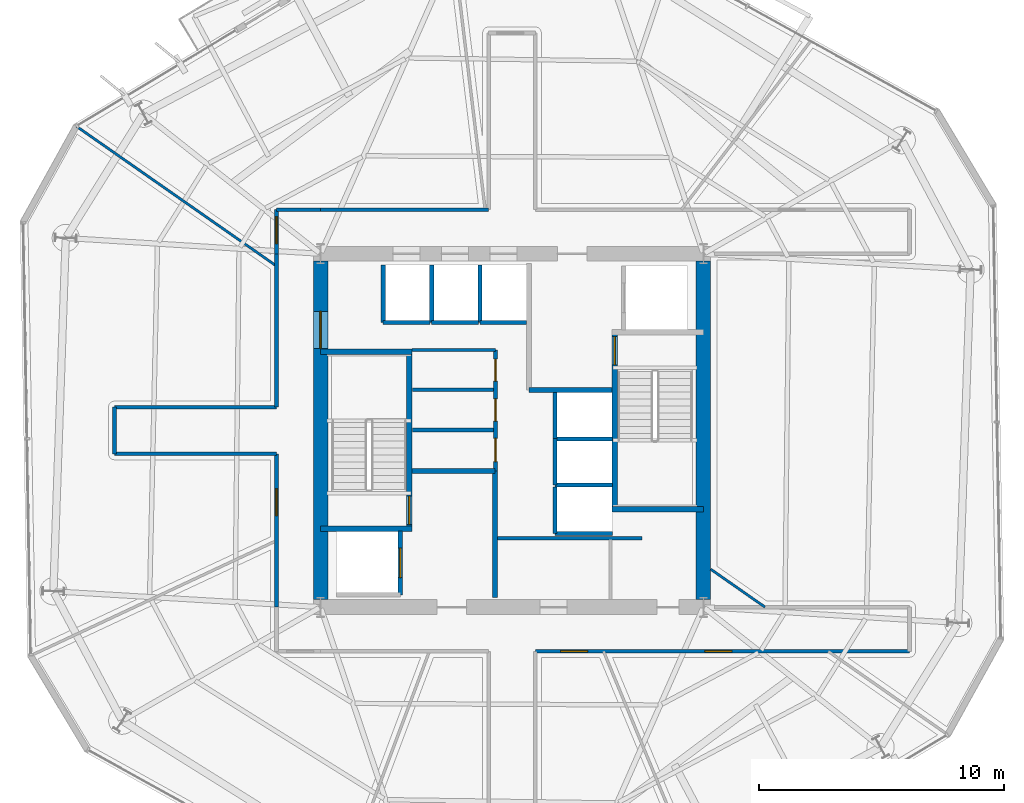
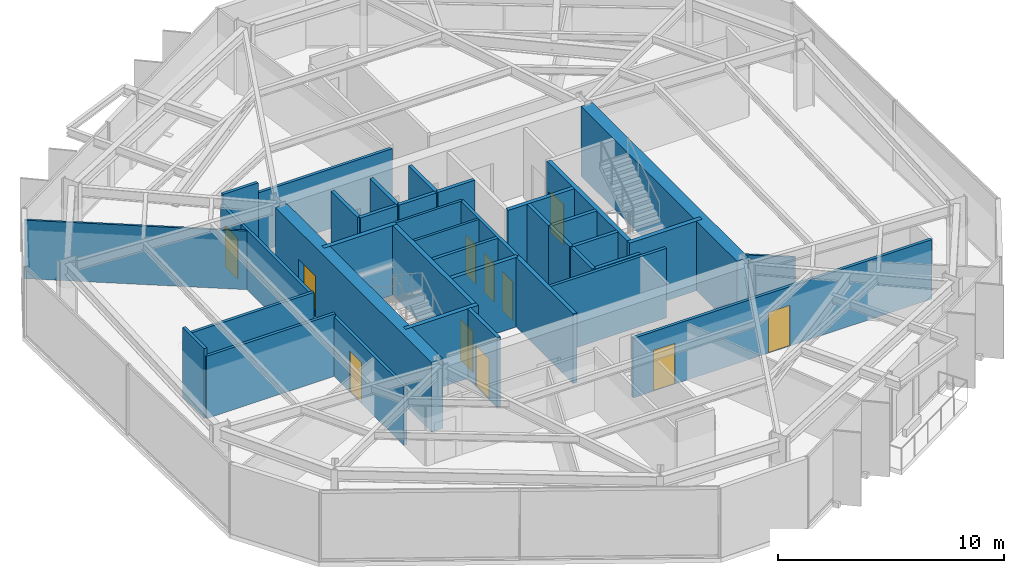
# One storey, part 7 of 11: 39 walls, 11 doors, 11 openings.
"""IFC4 building model written with IfcOpenShell, lengths in metres."""

from ifc_helpers import new_model, si_unit, direction, frame, frame_2d, origin, place, context, subcontext, project, spatial, rectangle, extrude, material, layer, layer_set, type_object, element, fill, save


model = new_model("IFC4")

# Units and contexts
model_context = context("Model", 3, precision=1e-05, world=origin(), true_north=direction((0.0, 1.0)))
body_context = subcontext(model_context, "Body", "Model", "MODEL_VIEW")
ifc_project = project(units=[si_unit("LENGTHUNIT", "METRE"), si_unit("AREAUNIT", "SQUARE_METRE"), si_unit("VOLUMEUNIT", "CUBIC_METRE"), si_unit("PLANEANGLEUNIT", "RADIAN"), si_unit("MASSUNIT", "GRAM", prefix="KILO")], contexts=[model_context])

# Site, building, storey
site_placement = place(None, origin())
site = spatial("IfcSite", under=ifc_project, at=site_placement, CompositionType="ELEMENT")
building_placement = place(site_placement, origin())
building = spatial("IfcBuilding", under=site, at=building_placement, Name="Kranzbogen Civic Tower", CompositionType="ELEMENT")
storey_placement = place(building_placement, frame((0.0, 0.0, 146.39990234375)))
storey = spatial("IfcBuildingStorey", under=building, at=storey_placement, Name="L35", CompositionType="ELEMENT", Elevation=146.39990234375)

# Wall
ifc_material_1 = material(Name="Double-Stud Acoustic Gypsum Partition")
ifc_layer_1 = layer(ifc_material_1, 0.14990234375, Name="Double-Stud Acoustic Gypsum Partition")
ifc_layer_set_1 = layer_set([ifc_layer_1], Name="Double-Stud Acoustic Gypsum Partition")
wall_type_1 = type_object("IfcWallType", Name="Acoustic Corridor and Clinical Partition 150 mm", PredefinedType="PARTITIONING", material=ifc_layer_set_1)
wall_1_placement = place(storey_placement, frame((24.39990234375, 20.610107421875, 0.0), z_axis=(0.0, 0.0, 1.0), x_axis=(1.0, 0.0, 0.0)))
element("IfcWall", 1, at=wall_1_placement, inside=storey, type_object=wall_type_1, Name="L35 records zone North wall", PredefinedType="PARTITIONING", context=body_context, shape_type="SweptSolid", body=[
    extrude(rectangle(XDim=5.900146484375, YDim=0.14990234375, at=frame_2d((2.9501953125, 0.0))), origin(), (0.0, 0.0, 1.0), 3.760009765625),
])

# Wall, opening, door
wall_2_placement = place(storey_placement, frame((15.39990234375, 17.800048828125, 0.0), z_axis=(0.0, 0.0, 1.0), x_axis=(0.0, 1.0, 0.0)))
wall_2 = element("IfcWall", 2, at=wall_2_placement, inside=storey, type_object=wall_type_1, Name="L35 corridor partition 03", PredefinedType="PARTITIONING", context=body_context, shape_type="SweptSolid", body=[
    extrude(rectangle(XDim=6.25, YDim=0.14990234375, at=frame_2d((3.125, 0.0))), origin(), (0.0, 0.0, 1.0), 3.210205078125),
])
opening_1_placement = place(wall_2_placement, frame((3.72998046875, 0.0, 0.0)))
opening_1 = element("IfcOpeningElement", 3, at=opening_1_placement, cuts=wall_2, Name="Opening D-COR60", PredefinedType="OPENING", context=body_context, shape_type="SweptSolid", body=[
    extrude(rectangle(XDim=1.10009765625, YDim=2.199951171875, at=frame_2d((0.550048828125, 1.10009765625))), frame((0.0, 0.0849609375, 0.0), z_axis=(0.0, -1.0, 0.0), x_axis=(1.0, 0.0, 0.0)), (0.0, 0.0, 1.0), 0.169921875),
])
ifc_material_2 = material(Name="Oak Timber and Fire Core", Category="wood")
door_type_1 = type_object("IfcDoorType", Name="Corridor Acoustic Fire Door 1100x2200", OperationType="NOTDEFINED", PredefinedType="DOOR", material=ifc_material_2)
door_1_placement = place(opening_1_placement, origin())
door_1 = element("IfcDoor", 4, at=door_1_placement, inside=storey, type_object=door_type_1, Name="L35 Ministerial Policy Office door", OperationType="SINGLE_SWING_RIGHT", OverallHeight=2.199951171875, OverallWidth=1.10009765625, PredefinedType="DOOR", context=body_context, shape_type="SweptSolid", body=[
    extrude(rectangle(XDim=1.10009765625, YDim=2.199951171875, at=frame_2d((0.550048828125, 1.10009765625))), frame((0.0, 0.02490234375, 0.0), z_axis=(0.0, -1.0, 0.0), x_axis=(1.0, 0.0, 0.0)), (0.0, 0.0, 1.0), 0.050048828125),
])
fill(opening_1, door_1)

# Walls
wall_3_placement = place(storey_placement, frame((15.39990234375, 24.050048828125, 0.0), z_axis=(0.0, 0.0, 1.0), x_axis=(-1.0, 0.0, 0.0)))
element("IfcWall", 5, at=wall_3_placement, inside=storey, type_object=wall_type_1, Name="L35 corridor partition 04", PredefinedType="PARTITIONING", context=body_context, shape_type="SweptSolid", body=[
    extrude(rectangle(XDim=6.599853515625, YDim=0.14990234375, at=frame_2d((3.2998046875, 0.0))), origin(), (0.0, 0.0, 1.0), 3.360107421875),
])
wall_4_placement = place(storey_placement, frame((8.800048828125, 24.050048828125, 0.0), z_axis=(0.0, 0.0, 1.0), x_axis=(0.0, 1.0, 0.0)))
element("IfcWall", 6, at=wall_4_placement, inside=storey, type_object=wall_type_1, Name="L35 corridor partition 05", PredefinedType="PARTITIONING", context=body_context, shape_type="SweptSolid", body=[
    extrude(rectangle(XDim=1.89990234375, YDim=0.14990234375, at=frame_2d((0.949951171875, 0.0))), origin(), (0.0, 0.0, 1.0), 3.760009765625),
])
wall_5_placement = place(storey_placement, frame((8.800048828125, 25.949951171875, 0.0), z_axis=(0.0, 0.0, 1.0), x_axis=(1.0, 0.0, 0.0)))
element("IfcWall", 7, at=wall_5_placement, inside=storey, type_object=wall_type_1, Name="L35 corridor partition 06", PredefinedType="PARTITIONING", context=body_context, shape_type="SweptSolid", body=[
    extrude(rectangle(XDim=6.599853515625, YDim=0.14990234375, at=frame_2d((3.2998046875, 0.0))), origin(), (0.0, 0.0, 1.0), 3.360107421875),
])
wall_6_placement = place(storey_placement, frame((15.39990234375, 25.949951171875, 0.0), z_axis=(0.0, 0.0, 1.0), x_axis=(0.0, 1.0, 0.0)))
element("IfcWall", 8, at=wall_6_placement, inside=storey, type_object=wall_type_1, Name="L35 corridor partition 07", PredefinedType="PARTITIONING", context=body_context, shape_type="SweptSolid", body=[
    extrude(rectangle(XDim=6.25, YDim=0.14990234375, at=frame_2d((3.125, 0.0))), origin(), (0.0, 0.0, 1.0), 3.210205078125),
])

# Wall, opening, door
wall_7_placement = place(storey_placement, frame((15.39990234375, 32.199951171875, 0.0), z_axis=(0.0, 0.0, 1.0), x_axis=(0.0, 1.0, 0.0)))
wall_7 = element("IfcWall", 9, at=wall_7_placement, inside=storey, type_object=wall_type_1, Name="L35 corridor partition 08", PredefinedType="PARTITIONING", context=body_context, shape_type="SweptSolid", body=[
    extrude(rectangle(XDim=1.800048828125, YDim=0.14990234375, at=frame_2d((0.89990234375, 0.0))), origin(), (0.0, 0.0, 1.0), 3.210205078125),
])
opening_2_placement = place(wall_7_placement, frame((0.4130859375, 0.0, 0.0)))
opening_2 = element("IfcOpeningElement", 10, at=opening_2_placement, cuts=wall_7, Name="Opening D-COR60", PredefinedType="OPENING", context=body_context, shape_type="SweptSolid", body=[
    extrude(rectangle(XDim=1.10009765625, YDim=2.199951171875, at=frame_2d((0.550048828125, 1.10009765625))), frame((0.0, 0.0849609375, 0.0), z_axis=(0.0, -1.0, 0.0), x_axis=(1.0, 0.0, 0.0)), (0.0, 0.0, 1.0), 0.169921875),
])
door_2_placement = place(opening_2_placement, origin())
door_2 = element("IfcDoor", 11, at=door_2_placement, inside=storey, type_object=door_type_1, Name="L35 Duty Crew Control Room door", OperationType="SINGLE_SWING_LEFT", OverallHeight=2.199951171875, OverallWidth=1.10009765625, PredefinedType="DOOR", context=body_context, shape_type="SweptSolid", body=[
    extrude(rectangle(XDim=1.10009765625, YDim=2.199951171875, at=frame_2d((0.550048828125, 1.10009765625))), frame((0.0, 0.02490234375, 0.0), z_axis=(0.0, -1.0, 0.0), x_axis=(1.0, 0.0, 0.0)), (0.0, 0.0, 1.0), 0.050048828125),
])
fill(opening_2, door_2)

# Walls
wall_8_placement = place(storey_placement, frame((15.39990234375, 34.0, 0.0), z_axis=(0.0, 0.0, 1.0), x_axis=(1.0, 0.0, 0.0)))
element("IfcWall", 12, at=wall_8_placement, inside=storey, type_object=wall_type_1, Name="L35 corridor partition 09", PredefinedType="PARTITIONING", context=body_context, shape_type="SweptSolid", body=[
    extrude(rectangle(XDim=1.800048828125, YDim=0.14990234375, at=frame_2d((0.89990234375, 0.0))), origin(), (0.0, 0.0, 1.0), 3.760009765625),
])
wall_9_placement = place(storey_placement, frame((17.199951171875, 34.0, 0.0), z_axis=(0.0, 0.0, 1.0), x_axis=(1.0, 0.0, 0.0)))
element("IfcWall", 13, at=wall_9_placement, inside=storey, type_object=wall_type_1, Name="L35 corridor partition 10", PredefinedType="PARTITIONING", context=body_context, shape_type="SweptSolid", body=[
    extrude(rectangle(XDim=6.85009765625, YDim=0.14990234375, at=frame_2d((3.425048828125, 0.0))), origin(), (0.0, 0.0, 1.0), 3.210205078125),
])

# Wall, openings, doors
wall_10_placement = place(storey_placement, frame((41.199951171875, 16.0, 0.0), z_axis=(0.0, 0.0, 1.0), x_axis=(-1.0, 0.0, 0.0)))
wall_10 = element("IfcWall", 14, at=wall_10_placement, inside=storey, type_object=wall_type_1, Name="L35 corridor partition 19", PredefinedType="PARTITIONING", context=body_context, shape_type="SweptSolid", body=[
    extrude(rectangle(XDim=15.25, YDim=0.14990234375, at=frame_2d((7.625, 0.0))), origin(), (0.0, 0.0, 1.0), 3.210205078125),
])
opening_3_placement = place(wall_10_placement, frame((13.114013671875, 0.0, 0.0)))
opening_3 = element("IfcOpeningElement", 15, at=opening_3_placement, cuts=wall_10, Name="Opening D-COR60", PredefinedType="OPENING", context=body_context, shape_type="SweptSolid", body=[
    extrude(rectangle(XDim=1.10009765625, YDim=2.199951171875, at=frame_2d((0.550048828125, 1.10009765625))), frame((0.0, 0.0849609375, 0.0), z_axis=(0.0, -1.0, 0.0), x_axis=(1.0, 0.0, 0.0)), (0.0, 0.0, 1.0), 0.169921875),
])
opening_4_placement = place(wall_10_placement, frame((7.239990234375, 0.0, 0.0)))
opening_4 = element("IfcOpeningElement", 16, at=opening_4_placement, cuts=wall_10, Name="Opening D-COR60", PredefinedType="OPENING", context=body_context, shape_type="SweptSolid", body=[
    extrude(rectangle(XDim=1.10009765625, YDim=2.199951171875, at=frame_2d((0.550048828125, 1.10009765625))), frame((0.0, 0.0849609375, 0.0), z_axis=(0.0, -1.0, 0.0), x_axis=(1.0, 0.0, 0.0)), (0.0, 0.0, 1.0), 0.169921875),
])
door_3_placement = place(opening_3_placement, origin())
door_3 = element("IfcDoor", 17, at=door_3_placement, inside=storey, type_object=door_type_1, Name="L35 Parliamentary Review Boardroom door", OperationType="SINGLE_SWING_LEFT", OverallHeight=2.199951171875, OverallWidth=1.10009765625, PredefinedType="DOOR", context=body_context, shape_type="SweptSolid", body=[
    extrude(rectangle(XDim=1.10009765625, YDim=2.199951171875, at=frame_2d((0.550048828125, 1.10009765625))), frame((0.0, 0.02490234375, 0.0), z_axis=(0.0, -1.0, 0.0), x_axis=(1.0, 0.0, 0.0)), (0.0, 0.0, 1.0), 0.050048828125),
])
fill(opening_3, door_3)
door_4_placement = place(opening_4_placement, origin())
door_4 = element("IfcDoor", 18, at=door_4_placement, inside=storey, type_object=door_type_1, Name="L35 Policy Seminar Room door", OperationType="SINGLE_SWING_RIGHT", OverallHeight=2.199951171875, OverallWidth=1.10009765625, PredefinedType="DOOR", context=body_context, shape_type="SweptSolid", body=[
    extrude(rectangle(XDim=1.10009765625, YDim=2.199951171875, at=frame_2d((0.550048828125, 1.10009765625))), frame((0.0, 0.02490234375, 0.0), z_axis=(0.0, -1.0, 0.0), x_axis=(1.0, 0.0, 0.0)), (0.0, 0.0, 1.0), 0.050048828125),
])
fill(opening_4, door_4)

# Walls
ifc_material_3 = material(Name="Insulated Metal-Stud Gypsum Partition")
ifc_layer_2 = layer(ifc_material_3, 0.125, Name="Insulated Metal-Stud Gypsum Partition")
ifc_layer_set_2 = layer_set([ifc_layer_2], Name="Insulated Metal-Stud Gypsum Partition")
wall_type_2 = type_object("IfcWallType", Name="Acoustic Inter-Room Partition 125 mm", PredefinedType="PARTITIONING", material=ifc_layer_set_2)
wall_11_placement = place(storey_placement, frame((20.919921875, 28.280029296875, 0.0), z_axis=(0.0, 0.0, 1.0), x_axis=(1.0, 0.0, 0.0)))
element("IfcWall", 19, at=wall_11_placement, inside=storey, type_object=wall_type_2, Name="L35 core auxiliary North wall", PredefinedType="PARTITIONING", context=body_context, shape_type="SweptSolid", body=[
    extrude(rectangle(XDim=3.405029296875, YDim=0.125, at=frame_2d((1.70263671875, 0.0))), origin(), (0.0, 0.0, 1.0), 3.760009765625),
])
wall_12_placement = place(storey_placement, frame((20.949951171875, 26.659912109375, 0.0), z_axis=(0.0, 0.0, 1.0), x_axis=(1.0, 0.0, 0.0)))
element("IfcWall", 20, at=wall_12_placement, inside=storey, type_object=wall_type_2, Name="L35 core auxiliary partition 3", PredefinedType="PARTITIONING", context=body_context, shape_type="SweptSolid", body=[
    extrude(rectangle(XDim=3.300048828125, YDim=0.125, at=frame_2d((1.64990234375, 0.0))), origin(), (0.0, 0.0, 1.0), 3.760009765625),
])

# Wall, opening, door
ifc_material_4 = material(Name="Concrete C55/67", Category="concrete")
ifc_layer_3 = layer(ifc_material_4, 0.60009765625, Name="Concrete C55/67")
ifc_layer_set_3 = layer_set([ifc_layer_3], Name="Concrete C55/67")
wall_type_3 = type_object("IfcWallType", Name="Central Core Shear Wall 600 mm", PredefinedType="SHEAR", material=ifc_layer_set_3)
wall_13_placement = place(storey_placement, frame((17.199951171875, 31.89990234375, 0.0), z_axis=(0.0, 0.0, 1.0), x_axis=(0.0, -1.0, 0.0)))
wall_13 = element("IfcWall", 21, at=wall_13_placement, inside=storey, type_object=wall_type_3, Name="L35 central core West shear wall", PredefinedType="SHEAR", context=body_context, shape_type="SweptSolid", body=[
    extrude(rectangle(XDim=13.7998046875, YDim=0.60009765625, at=frame_2d((6.89990234375, 0.0))), origin(), (0.0, 0.0, 1.0), 3.760009765625),
])
opening_5_placement = place(wall_13_placement, frame((2.050048828125, 0.0, 0.0)))
opening_5 = element("IfcOpeningElement", 22, at=opening_5_placement, cuts=wall_13, Name="Opening D-DBL15", PredefinedType="OPENING", context=body_context, shape_type="SweptSolid", body=[
    extrude(rectangle(XDim=1.5, YDim=2.199951171875, at=frame_2d((0.75, 1.10009765625))), frame((0.0, 0.31005859375, 0.0), z_axis=(0.0, -1.0, 0.0), x_axis=(1.0, 0.0, 0.0)), (0.0, 0.0, 1.0), 0.6201171875),
])
ifc_material_5 = material(Name="Anodised Bronze and Glass", Category="glass")
door_type_2 = type_object("IfcDoorType", Name="Civic Lobby Double Door 1500x2200", OperationType="DOUBLE_DOOR_SINGLE_SWING", PredefinedType="DOOR", material=ifc_material_5)
door_5_placement = place(opening_5_placement, origin())
door_5 = element("IfcDoor", 23, at=door_5_placement, inside=storey, type_object=door_type_2, Name="L35 Central Lift Lobby West concourse door", OperationType="DOUBLE_DOOR_SINGLE_SWING", OverallHeight=2.199951171875, OverallWidth=1.5, PredefinedType="DOOR", context=body_context, shape_type="SweptSolid", body=[
    extrude(rectangle(XDim=1.5, YDim=2.199951171875, at=frame_2d((0.75, 1.10009765625))), frame((0.0, 0.02490234375, 0.0), z_axis=(0.0, -1.0, 0.0), x_axis=(1.0, 0.0, 0.0)), (0.0, 0.0, 1.0), 0.050048828125),
])
fill(opening_5, door_5)

# Wall
wall_14_placement = place(storey_placement, frame((32.800048828125, 18.10009765625, 0.0), z_axis=(0.0, 0.0, 1.0), x_axis=(0.0, 1.0, 0.0)))
element("IfcWall", 24, at=wall_14_placement, inside=storey, type_object=wall_type_3, Name="L35 central core East shear wall", PredefinedType="SHEAR", context=body_context, shape_type="SweptSolid", body=[
    extrude(rectangle(XDim=13.7998046875, YDim=0.60009765625, at=frame_2d((6.89990234375, 0.0))), origin(), (0.0, 0.0, 1.0), 3.760009765625),
])

# Wall, opening, door
ifc_material_6 = material(Name="Concrete C45/55", Category="concrete")
ifc_layer_4 = layer(ifc_material_6, 0.219970703125, Name="Concrete C45/55")
ifc_layer_set_4 = layer_set([ifc_layer_4], Name="Concrete C45/55")
wall_type_4 = type_object("IfcWallType", Name="Core Internal Stair Structural Wall 220 mm", PredefinedType="SOLIDWALL", material=ifc_layer_set_4)
wall_15_placement = place(storey_placement, frame((20.81005859375, 20.989990234375, 0.0), z_axis=(0.0, 0.0, 1.0), x_axis=(0.0, 1.0, 0.0)))
wall_15 = element("IfcWall", 25, at=wall_15_placement, inside=storey, type_object=wall_type_4, Name="L35 ST-T1 East structural stair wall", PredefinedType="SOLIDWALL", context=body_context, shape_type="SweptSolid", body=[
    extrude(rectangle(XDim=7.219970703125, YDim=0.219970703125, at=frame_2d((3.60986328125, 0.0))), origin(), (0.0, 0.0, 1.0), 3.760009765625),
])
opening_6_placement = place(wall_15_placement, frame((0.179931640625, 0.0, 0.0)))
opening_6 = element("IfcOpeningElement", 26, at=opening_6_placement, cuts=wall_15, Name="Opening D-ST90", PredefinedType="OPENING", context=body_context, shape_type="SweptSolid", body=[
    extrude(rectangle(XDim=1.14990234375, YDim=2.199951171875, at=frame_2d((0.574951171875, 1.10009765625))), frame((0.0, 0.1201171875, 0.0), z_axis=(0.0, -1.0, 0.0), x_axis=(1.0, 0.0, 0.0)), (0.0, 0.0, 1.0), 0.239990234375),
])
ifc_material_7 = material(Name="Steel S355", Category="steel")
door_type_3 = type_object("IfcDoorType", Name="Pressurized Stair and Lobby Fire Door 1150x2200", OperationType="NOTDEFINED", PredefinedType="DOOR", material=ifc_material_7)
door_6_placement = place(opening_6_placement, origin())
door_6 = element("IfcDoor", 27, at=door_6_placement, inside=storey, type_object=door_type_3, Name="L35 Stair ST-T1 fire door", OperationType="SINGLE_SWING_LEFT", OverallHeight=2.199951171875, OverallWidth=1.14990234375, PredefinedType="DOOR", context=body_context, shape_type="SweptSolid", body=[
    extrude(rectangle(XDim=1.14990234375, YDim=2.199951171875, at=frame_2d((0.574951171875, 1.10009765625))), frame((0.0, 0.02490234375, 0.0), z_axis=(0.0, -1.0, 0.0), x_axis=(1.0, 0.0, 0.0)), (0.0, 0.0, 1.0), 0.050048828125),
])
fill(opening_6, door_6)

# Walls
for number, where, z_axis, x_axis, name in (
    (28, (17.199951171875, 20.989990234375, 0.0), (0.0, 0.0, 1.0), (1.0, 0.0, 0.0), "L35 ST-T1 South structural stair wall"),
    (29, (17.199951171875, 28.2099609375, 0.0), (0.0, 0.0, 1.0), (1.0, 0.0, 0.0), "L35 ST-T1 North structural stair wall"),
):
    element("IfcWall", number, at=place(storey_placement, frame(where, z_axis=z_axis, x_axis=x_axis)), inside=storey, type_object=wall_type_4, Name=name, PredefinedType="SOLIDWALL", context=body_context, shape_type="SweptSolid", body=[
        extrude(rectangle(XDim=3.719970703125, YDim=0.219970703125, at=frame_2d((1.85986328125, 0.0))), origin(), (0.0, 0.0, 1.0), 3.760009765625),
    ])

# Wall, opening, door
wall_16_placement = place(storey_placement, frame((29.18994140625, 21.7900390625, 0.0), z_axis=(0.0, 0.0, 1.0), x_axis=(0.0, 1.0, 0.0)))
wall_16 = element("IfcWall", 30, at=wall_16_placement, inside=storey, type_object=wall_type_4, Name="L35 ST-T2 West structural stair wall", PredefinedType="SOLIDWALL", context=body_context, shape_type="SweptSolid", body=[
    extrude(rectangle(XDim=7.219970703125, YDim=0.219970703125, at=frame_2d((3.60986328125, 0.0))), origin(), (0.0, 0.0, 1.0), 3.760009765625),
])
opening_7_placement = place(wall_16_placement, frame((5.8798828125, 0.0, 0.0)))
opening_7 = element("IfcOpeningElement", 31, at=opening_7_placement, cuts=wall_16, Name="Opening D-ST90", PredefinedType="OPENING", context=body_context, shape_type="SweptSolid", body=[
    extrude(rectangle(XDim=1.14990234375, YDim=2.199951171875, at=frame_2d((0.574951171875, 1.10009765625))), frame((0.0, 0.1201171875, 0.0), z_axis=(0.0, -1.0, 0.0), x_axis=(1.0, 0.0, 0.0)), (0.0, 0.0, 1.0), 0.239990234375),
])
door_7_placement = place(opening_7_placement, origin())
door_7 = element("IfcDoor", 32, at=door_7_placement, inside=storey, type_object=door_type_3, Name="L35 Stair ST-T2 fire door", OperationType="SINGLE_SWING_RIGHT", OverallHeight=2.199951171875, OverallWidth=1.14990234375, PredefinedType="DOOR", context=body_context, shape_type="SweptSolid", body=[
    extrude(rectangle(XDim=1.14990234375, YDim=2.199951171875, at=frame_2d((0.574951171875, 1.10009765625))), frame((0.0, 0.02490234375, 0.0), z_axis=(0.0, -1.0, 0.0), x_axis=(1.0, 0.0, 0.0)), (0.0, 0.0, 1.0), 0.050048828125),
])
fill(opening_7, door_7)

# Walls
wall_17_placement = place(storey_placement, frame((29.080078125, 21.7900390625, 0.0), z_axis=(0.0, 0.0, 1.0), x_axis=(1.0, 0.0, 0.0)))
element("IfcWall", 33, at=wall_17_placement, inside=storey, type_object=wall_type_4, Name="L35 ST-T2 South structural stair wall", PredefinedType="SOLIDWALL", context=body_context, shape_type="SweptSolid", body=[
    extrude(rectangle(XDim=3.719970703125, YDim=0.219970703125, at=frame_2d((1.85986328125, 0.0))), origin(), (0.0, 0.0, 1.0), 3.760009765625),
])
ifc_material_8 = material(Name="Demountable Aluminium and Gypsum Partition", Category="aluminium")
ifc_layer_5 = layer(ifc_material_8, 0.10009765625, Name="Demountable Aluminium and Gypsum Partition")
ifc_layer_set_5 = layer_set([ifc_layer_5], Name="Demountable Aluminium and Gypsum Partition")
wall_type_5 = type_object("IfcWallType", Name="Demountable Office Partition 100 mm", PredefinedType="MOVABLE", material=ifc_layer_set_5)
wall_18_placement = place(storey_placement, frame((15.39990234375, 31.702880859375, 0.0), z_axis=(0.0, 0.0, 1.0), x_axis=(-0.819886429215, 0.572526194325, 0.0)))
element("IfcWall", 34, at=wall_18_placement, inside=storey, type_object=wall_type_5, Name="L35 radial room partition 03", PredefinedType="MOVABLE", context=body_context, shape_type="SweptSolid", body=[
    extrude(rectangle(XDim=9.927978515625, YDim=0.10009765625, at=frame_2d((4.9638671875, 0.0))), origin(), (0.0, 0.0, 1.0), 3.16015625),
])
wall_19_placement = place(storey_placement, frame((33.10009765625, 19.343994140625, 0.0), z_axis=(0.0, 0.0, 1.0), x_axis=(0.819877899319, -0.572538409374, 0.0)))
element("IfcWall", 35, at=wall_19_placement, inside=storey, type_object=wall_type_5, Name="L35 radial room partition 07", PredefinedType="MOVABLE", context=body_context, shape_type="SweptSolid", body=[
    extrude(rectangle(XDim=2.69677734375, YDim=0.10009765625, at=frame_2d((1.348388671875, 0.0))), origin(), (0.0, 0.0, 1.0), 3.210205078125),
])
ifc_material_9 = material(Name="Gypsum Fireboard and Concrete Block", Category="concrete")
ifc_layer_6 = layer(ifc_material_9, 0.199951171875, Name="Gypsum Fireboard and Concrete Block")
ifc_layer_set_6 = layer_set([ifc_layer_6], Name="Gypsum Fireboard and Concrete Block")
wall_type_6 = type_object("IfcWallType", Name="Fire-Rated Exit Passageway and Stair Wall 200 mm", PredefinedType="PARTITIONING", material=ifc_layer_set_6)
wall_20_placement = place(storey_placement, frame((24.300048828125, 18.199951171875, 0.0), z_axis=(0.0, 0.0, 1.0), x_axis=(0.0, 1.0, 0.0)))
element("IfcWall", 36, at=wall_20_placement, inside=storey, type_object=wall_type_6, Name="L35 West firefighting lobby East wall", PredefinedType="PARTITIONING", context=body_context, shape_type="SweptSolid", body=[
    extrude(rectangle(XDim=5.150146484375, YDim=0.199951171875, at=frame_2d((2.5751953125, 0.0))), origin(), (0.0, 0.0, 1.0), 3.760009765625),
])
for number, where, z_axis, x_axis, name in (
    (37, (20.919921875, 23.35009765625, 0.0), (0.0, 0.0, 1.0), (1.0, 0.0, 0.0), "L35 West firefighting lobby North wall"),
    (38, (25.699951171875, 26.64990234375, 0.0), (0.0, 0.0, 1.0), (1.0, 0.0, 0.0), "L35 East firefighting lobby South wall"),
):
    element("IfcWall", number, at=place(storey_placement, frame(where, z_axis=z_axis, x_axis=x_axis)), inside=storey, type_object=wall_type_6, Name=name, PredefinedType="PARTITIONING", context=body_context, shape_type="SweptSolid", body=[
        extrude(rectangle(XDim=3.380126953125, YDim=0.199951171875, at=frame_2d((1.68994140625, 0.0))), origin(), (0.0, 0.0, 1.0), 3.760009765625),
    ])
ifc_material_10 = material(Name="Gypsum Fireboard Shaftliner")
ifc_layer_7 = layer(ifc_material_10, 0.175048828125, Name="Gypsum Fireboard Shaftliner")
ifc_layer_set_7 = layer_set([ifc_layer_7], Name="Gypsum Fireboard Shaftliner")
wall_type_7 = type_object("IfcWallType", Name="Fire-Rated Lift and Service Shaft Wall 175 mm", PredefinedType="PARTITIONING", material=ifc_layer_set_7)
wall_21_placement = place(storey_placement, frame((19.75, 29.39990234375, 0.0), z_axis=(0.0, 0.0, 1.0), x_axis=(1.0, 0.0, 0.0)))
element("IfcWall", 39, at=wall_21_placement, inside=storey, type_object=wall_type_7, Name="L35 lift MP-01 rear wall", PredefinedType="PARTITIONING", context=body_context, shape_type="SweptSolid", body=[
    extrude(rectangle(XDim=1.89990234375, YDim=0.175048828125, at=frame_2d((0.949951171875, 0.0))), origin(), (0.0, 0.0, 1.0), 3.760009765625),
])
wall_22_placement = place(storey_placement, frame((19.75, 29.39990234375, 0.0), z_axis=(0.0, 0.0, 1.0), x_axis=(0.0, 1.0, 0.0)))
element("IfcWall", 40, at=wall_22_placement, inside=storey, type_object=wall_type_7, Name="L35 lift MP-01 side wall", PredefinedType="PARTITIONING", context=body_context, shape_type="SweptSolid", body=[
    extrude(rectangle(XDim=2.35009765625, YDim=0.175048828125, at=frame_2d((1.175048828125, 0.0))), origin(), (0.0, 0.0, 1.0), 3.760009765625),
])
wall_23_placement = place(storey_placement, frame((21.72509765625, 29.39990234375, 0.0), z_axis=(0.0, 0.0, 1.0), x_axis=(1.0, 0.0, 0.0)))
element("IfcWall", 41, at=wall_23_placement, inside=storey, type_object=wall_type_7, Name="L35 lift MP-02 rear wall", PredefinedType="PARTITIONING", context=body_context, shape_type="SweptSolid", body=[
    extrude(rectangle(XDim=1.89990234375, YDim=0.175048828125, at=frame_2d((0.949951171875, 0.0))), origin(), (0.0, 0.0, 1.0), 3.760009765625),
])
wall_24_placement = place(storey_placement, frame((21.72509765625, 29.39990234375, 0.0), z_axis=(0.0, 0.0, 1.0), x_axis=(0.0, 1.0, 0.0)))
element("IfcWall", 42, at=wall_24_placement, inside=storey, type_object=wall_type_7, Name="L35 lift MP-02 side wall", PredefinedType="PARTITIONING", context=body_context, shape_type="SweptSolid", body=[
    extrude(rectangle(XDim=2.35009765625, YDim=0.175048828125, at=frame_2d((1.175048828125, 0.0))), origin(), (0.0, 0.0, 1.0), 3.760009765625),
])
wall_25_placement = place(storey_placement, frame((23.699951171875, 29.39990234375, 0.0), z_axis=(0.0, 0.0, 1.0), x_axis=(1.0, 0.0, 0.0)))
element("IfcWall", 43, at=wall_25_placement, inside=storey, type_object=wall_type_7, Name="L35 lift MP-03 rear wall", PredefinedType="PARTITIONING", context=body_context, shape_type="SweptSolid", body=[
    extrude(rectangle(XDim=1.900146484375, YDim=0.175048828125, at=frame_2d((0.9501953125, 0.0))), origin(), (0.0, 0.0, 1.0), 3.760009765625),
])
wall_26_placement = place(storey_placement, frame((23.699951171875, 29.39990234375, 0.0), z_axis=(0.0, 0.0, 1.0), x_axis=(0.0, 1.0, 0.0)))
element("IfcWall", 44, at=wall_26_placement, inside=storey, type_object=wall_type_7, Name="L35 lift MP-03 side wall", PredefinedType="PARTITIONING", context=body_context, shape_type="SweptSolid", body=[
    extrude(rectangle(XDim=2.35009765625, YDim=0.175048828125, at=frame_2d((1.175048828125, 0.0))), origin(), (0.0, 0.0, 1.0), 3.760009765625),
])
wall_27_placement = place(storey_placement, frame((26.75, 20.800048828125, 0.0), z_axis=(0.0, 0.0, 1.0), x_axis=(0.0, 1.0, 0.0)))
element("IfcWall", 45, at=wall_27_placement, inside=storey, type_object=wall_type_7, Name="L35 lift HP-01 landing wall", PredefinedType="PARTITIONING", context=body_context, shape_type="SweptSolid", body=[
    extrude(rectangle(XDim=1.89990234375, YDim=0.175048828125, at=frame_2d((0.949951171875, 0.0))), origin(), (0.0, 0.0, 1.0), 3.760009765625),
])
wall_28_placement = place(storey_placement, frame((26.75, 20.800048828125, 0.0), z_axis=(0.0, 0.0, 1.0), x_axis=(1.0, 0.0, 0.0)))
element("IfcWall", 46, at=wall_28_placement, inside=storey, type_object=wall_type_7, Name="L35 lift HP-01 side wall", PredefinedType="PARTITIONING", context=body_context, shape_type="SweptSolid", body=[
    extrude(rectangle(XDim=2.35009765625, YDim=0.175048828125, at=frame_2d((1.175048828125, 0.0))), origin(), (0.0, 0.0, 1.0), 3.760009765625),
])
wall_29_placement = place(storey_placement, frame((26.75, 22.77490234375, 0.0), z_axis=(0.0, 0.0, 1.0), x_axis=(0.0, 1.0, 0.0)))
element("IfcWall", 47, at=wall_29_placement, inside=storey, type_object=wall_type_7, Name="L35 lift HP-02 landing wall", PredefinedType="PARTITIONING", context=body_context, shape_type="SweptSolid", body=[
    extrude(rectangle(XDim=1.900146484375, YDim=0.175048828125, at=frame_2d((0.9501953125, 0.0))), origin(), (0.0, 0.0, 1.0), 3.760009765625),
])
wall_30_placement = place(storey_placement, frame((26.75, 22.77490234375, 0.0), z_axis=(0.0, 0.0, 1.0), x_axis=(1.0, 0.0, 0.0)))
element("IfcWall", 48, at=wall_30_placement, inside=storey, type_object=wall_type_7, Name="L35 lift HP-02 side wall", PredefinedType="PARTITIONING", context=body_context, shape_type="SweptSolid", body=[
    extrude(rectangle(XDim=2.35009765625, YDim=0.175048828125, at=frame_2d((1.175048828125, 0.0))), origin(), (0.0, 0.0, 1.0), 3.760009765625),
])
wall_31_placement = place(storey_placement, frame((26.75, 24.64990234375, 0.0), z_axis=(0.0, 0.0, 1.0), x_axis=(0.0, 1.0, 0.0)))
element("IfcWall", 49, at=wall_31_placement, inside=storey, type_object=wall_type_7, Name="L35 lift HP-03 landing wall", PredefinedType="PARTITIONING", context=body_context, shape_type="SweptSolid", body=[
    extrude(rectangle(XDim=1.900146484375, YDim=0.175048828125, at=frame_2d((0.9501953125, 0.0))), origin(), (0.0, 0.0, 1.0), 3.760009765625),
])
wall_32_placement = place(storey_placement, frame((26.75, 24.64990234375, 0.0), z_axis=(0.0, 0.0, 1.0), x_axis=(1.0, 0.0, 0.0)))
element("IfcWall", 50, at=wall_32_placement, inside=storey, type_object=wall_type_7, Name="L35 lift HP-03 side wall", PredefinedType="PARTITIONING", context=body_context, shape_type="SweptSolid", body=[
    extrude(rectangle(XDim=2.35009765625, YDim=0.175048828125, at=frame_2d((1.175048828125, 0.0))), origin(), (0.0, 0.0, 1.0), 3.760009765625),
])

# Wall, opening, door
wall_33_placement = place(storey_placement, frame((20.449951171875, 18.300048828125, 0.0), z_axis=(0.0, 0.0, 1.0), x_axis=(0.0, 1.0, 0.0)))
wall_33 = element("IfcWall", 51, at=wall_33_placement, inside=storey, type_object=wall_type_7, Name="L35 lift FF-01 landing wall", PredefinedType="PARTITIONING", context=body_context, shape_type="SweptSolid", body=[
    extrude(rectangle(XDim=2.599853515625, YDim=0.175048828125, at=frame_2d((1.2998046875, 0.0))), origin(), (0.0, 0.0, 1.0), 3.760009765625),
])
opening_8_placement = place(wall_33_placement, frame((0.699951171875, 0.0, 0.0)))
opening_8 = element("IfcOpeningElement", 52, at=opening_8_placement, cuts=wall_33, Name="Opening LD-FF-01", PredefinedType="OPENING", context=body_context, shape_type="SweptSolid", body=[
    extrude(rectangle(XDim=1.199951171875, YDim=2.199951171875, at=frame_2d((0.60009765625, 1.10009765625))), frame((0.0, 0.09765625, 0.0), z_axis=(0.0, -1.0, 0.0), x_axis=(1.0, 0.0, 0.0)), (0.0, 0.0, 1.0), 0.195068359375),
])
ifc_material_11 = material(Name="Pale Anodised Aluminium", Category="aluminium")
door_type_4 = type_object("IfcDoorType", Name="Firefighting and Stretcher Lift Sliding Landing Door 1200x2200", OperationType="DOUBLE_DOOR_SLIDING", PredefinedType="DOOR", material=ifc_material_11)
door_8_placement = place(opening_8_placement, origin())
door_8 = element("IfcDoor", 53, at=door_8_placement, inside=storey, type_object=door_type_4, Name="L35 lift FF-01 sliding landing door", OperationType="DOUBLE_DOOR_SLIDING", OverallHeight=2.199951171875, OverallWidth=1.199951171875, PredefinedType="DOOR", context=body_context, shape_type="SweptSolid", body=[
    extrude(rectangle(XDim=1.199951171875, YDim=2.199951171875, at=frame_2d((0.60009765625, 1.10009765625))), frame((0.0, 0.02490234375, 0.0), z_axis=(0.0, -1.0, 0.0), x_axis=(1.0, 0.0, 0.0)), (0.0, 0.0, 1.0), 0.050048828125),
])
fill(opening_8, door_8)

# Wall, openings, doors
ifc_material_12 = material(Name="Moisture-Resistant Gypsum Assembly")
ifc_layer_8 = layer(ifc_material_12, 0.159912109375, Name="Moisture-Resistant Gypsum Assembly")
ifc_layer_set_8 = layer_set([ifc_layer_8], Name="Moisture-Resistant Gypsum Assembly")
wall_type_8 = type_object("IfcWallType", Name="Sanitary and Plumbing Wet Wall 160 mm", PredefinedType="PLUMBINGWALL", material=ifc_layer_set_8)
wall_34_placement = place(storey_placement, frame((24.324951171875, 23.35009765625, 0.0), z_axis=(0.0, 0.0, 1.0), x_axis=(0.0, 1.0, 0.0)))
wall_34 = element("IfcWall", 54, at=wall_34_placement, inside=storey, type_object=wall_type_8, Name="L35 core auxiliary East wall", PredefinedType="PLUMBINGWALL", context=body_context, shape_type="SweptSolid", body=[
    extrude(rectangle(XDim=4.929931640625, YDim=0.159912109375, at=frame_2d((2.46484375, 0.0))), origin(), (0.0, 0.0, 1.0), 3.760009765625),
])
opening_9_placement = place(wall_34_placement, frame((0.375, 0.0, 0.0)))
opening_9 = element("IfcOpeningElement", 55, at=opening_9_placement, cuts=wall_34, Name="Opening D-AWC95", PredefinedType="OPENING", context=body_context, shape_type="SweptSolid", body=[
    extrude(rectangle(XDim=0.949951171875, YDim=2.10009765625, at=frame_2d((0.47509765625, 1.050048828125))), frame((0.0, 0.08984375, 0.0), z_axis=(0.0, -1.0, 0.0), x_axis=(1.0, 0.0, 0.0)), (0.0, 0.0, 1.0), 0.179931640625),
])
opening_10_placement = place(wall_34_placement, frame((2.034912109375, 0.0, 0.0)))
opening_10 = element("IfcOpeningElement", 56, at=opening_10_placement, cuts=wall_34, Name="Opening D-WC90", PredefinedType="OPENING", context=body_context, shape_type="SweptSolid", body=[
    extrude(rectangle(XDim=0.89990234375, YDim=2.10009765625, at=frame_2d((0.449951171875, 1.050048828125))), frame((0.0, 0.08984375, 0.0), z_axis=(0.0, -1.0, 0.0), x_axis=(1.0, 0.0, 0.0)), (0.0, 0.0, 1.0), 0.179931640625),
])
opening_11_placement = place(wall_34_placement, frame((3.659912109375, 0.0, 0.0)))
opening_11 = element("IfcOpeningElement", 57, at=opening_11_placement, cuts=wall_34, Name="Opening D-WC90", PredefinedType="OPENING", context=body_context, shape_type="SweptSolid", body=[
    extrude(rectangle(XDim=0.89990234375, YDim=2.10009765625, at=frame_2d((0.449951171875, 1.050048828125))), frame((0.0, 0.08984375, 0.0), z_axis=(0.0, -1.0, 0.0), x_axis=(1.0, 0.0, 0.0)), (0.0, 0.0, 1.0), 0.179931640625),
])
ifc_material_13 = material(Name="Moisture-Resistant Laminate")
door_type_5 = type_object("IfcDoorType", Name="Accessible Restroom Door 950x2100", OperationType="NOTDEFINED", PredefinedType="DOOR", material=ifc_material_13)
door_9_placement = place(opening_9_placement, origin())
door_9 = element("IfcDoor", 58, at=door_9_placement, inside=storey, type_object=door_type_5, Name="L35 Accessible Restroom door", OperationType="SINGLE_SWING_LEFT", OverallHeight=2.10009765625, OverallWidth=0.949951171875, PredefinedType="DOOR", context=body_context, shape_type="SweptSolid", body=[
    extrude(rectangle(XDim=0.949951171875, YDim=2.10009765625, at=frame_2d((0.47509765625, 1.050048828125))), frame((0.0, 0.02490234375, 0.0), z_axis=(0.0, -1.0, 0.0), x_axis=(1.0, 0.0, 0.0)), (0.0, 0.0, 1.0), 0.050048828125),
])
fill(opening_9, door_9)
door_type_6 = type_object("IfcDoorType", Name="Standard Restroom and Store Door 900x2100", OperationType="NOTDEFINED", PredefinedType="DOOR", material=ifc_material_13)
door_10_placement = place(opening_10_placement, origin())
door_10 = element("IfcDoor", 59, at=door_10_placement, inside=storey, type_object=door_type_6, Name="L35 Staff Restroom door", OperationType="SINGLE_SWING_RIGHT", OverallHeight=2.10009765625, OverallWidth=0.89990234375, PredefinedType="DOOR", context=body_context, shape_type="SweptSolid", body=[
    extrude(rectangle(XDim=0.89990234375, YDim=2.10009765625, at=frame_2d((0.449951171875, 1.050048828125))), frame((0.0, 0.02490234375, 0.0), z_axis=(0.0, -1.0, 0.0), x_axis=(1.0, 0.0, 0.0)), (0.0, 0.0, 1.0), 0.050048828125),
])
fill(opening_10, door_10)
door_11_placement = place(opening_11_placement, origin())
door_11 = element("IfcDoor", 60, at=door_11_placement, inside=storey, type_object=door_type_6, Name="L35 Cleaner and Janitor Store door", OperationType="SINGLE_SWING_LEFT", OverallHeight=2.10009765625, OverallWidth=0.89990234375, PredefinedType="DOOR", context=body_context, shape_type="SweptSolid", body=[
    extrude(rectangle(XDim=0.89990234375, YDim=2.10009765625, at=frame_2d((0.449951171875, 1.050048828125))), frame((0.0, 0.02490234375, 0.0), z_axis=(0.0, -1.0, 0.0), x_axis=(1.0, 0.0, 0.0)), (0.0, 0.0, 1.0), 0.050048828125),
])
fill(opening_11, door_11)

# Wall
wall_35_placement = place(storey_placement, frame((20.949951171875, 25.010009765625, 0.0), z_axis=(0.0, 0.0, 1.0), x_axis=(1.0, 0.0, 0.0)))
element("IfcWall", 61, at=wall_35_placement, inside=storey, type_object=wall_type_8, Name="L35 core auxiliary partition 2", PredefinedType="PLUMBINGWALL", context=body_context, shape_type="SweptSolid", body=[
    extrude(rectangle(XDim=3.300048828125, YDim=0.159912109375, at=frame_2d((1.64990234375, 0.0))), origin(), (0.0, 0.0, 1.0), 3.760009765625),
])

save(model, "model.ifc")
